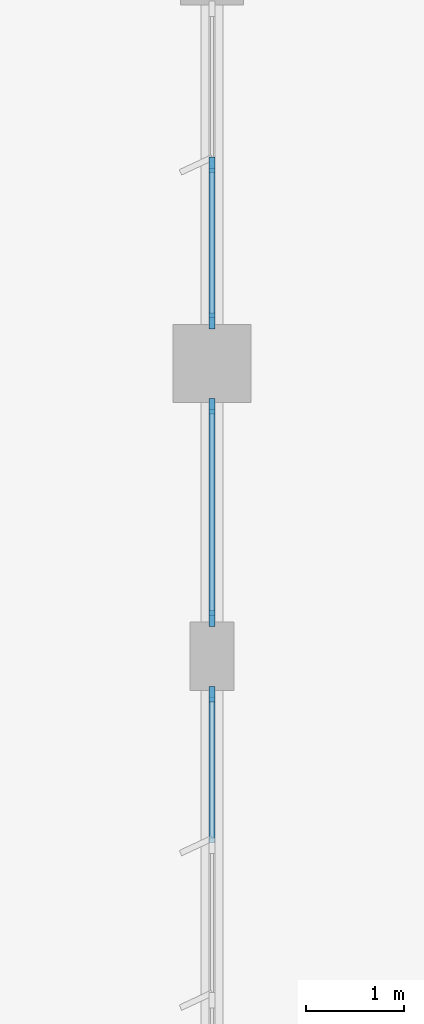
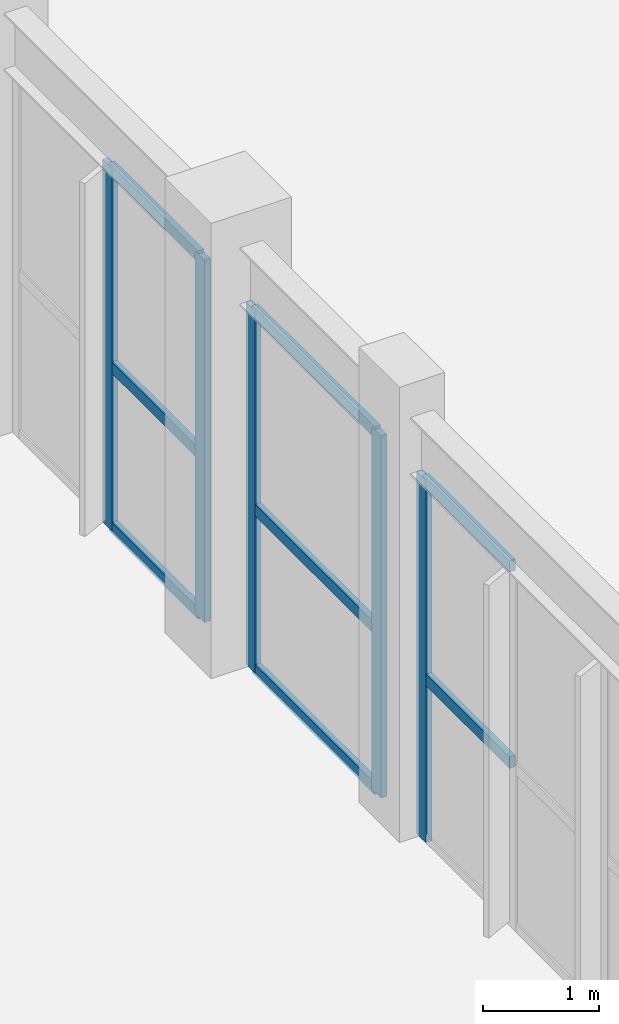
# One storey, part 80 of 199: 13 members, 3 elements without a shape of their own.
"""IFC4 building model written with IfcOpenShell, lengths in metres."""

from ifc_helpers import new_model, si_unit, direction, frame, origin, origin_2d, place, context, subcontext, project, spatial, rectangle, extrude, material, layer, layer_set, material_profile, profile_set, type_object, element, aggregate, save


model = new_model("IFC4")

# Units and contexts
model_context = context("Model", 3, precision=1e-05, world=origin(), true_north=direction((0.0, 1.0)))
body_context = subcontext(model_context, "Body", "Model", "MODEL_VIEW")
ifc_project = project(units=[si_unit("LENGTHUNIT", "METRE"), si_unit("AREAUNIT", "SQUARE_METRE"), si_unit("VOLUMEUNIT", "CUBIC_METRE"), si_unit("PLANEANGLEUNIT", "RADIAN"), si_unit("MASSUNIT", "GRAM", prefix="KILO")], contexts=[model_context])

# Site, building, storey
site_placement = place(None, origin())
site = spatial("IfcSite", under=ifc_project, at=site_placement, CompositionType="ELEMENT")
building_placement = place(site_placement, origin())
building = spatial("IfcBuilding", under=site, at=building_placement, Name="Tarnwether General Hospital", CompositionType="ELEMENT")
storey_placement = place(building_placement, origin())
storey = spatial("IfcBuildingStorey", under=building, at=storey_placement, Name="L00", CompositionType="ELEMENT", Elevation=0.0)

# Curtain wall, member
ifc_material_1 = material(Name="Anodised aluminium", Category="aluminium")
ifc_layer = layer(ifc_material_1, 0.179931640625)
ifc_layer_set = layer_set([ifc_layer], Name="Anodised aluminium")
curtain_wall_type = type_object("IfcCurtainWallType", Name="CW-08", PredefinedType="NOTDEFINED", material=ifc_layer_set)
curtain_wall_1_placement = place(storey_placement, origin())
curtain_wall_1 = element("IfcCurtainWall", 1, at=curtain_wall_1_placement, inside=storey, type_object=curtain_wall_type, Name="Curtain Wall CWG-L00-1080_479-0299", PredefinedType="NOTDEFINED")
ifc_material_2 = material(Name="Anodised aluminium", Category="aluminium")
ifc_material_profile_1 = material_profile(ifc_material_2, rectangle(XDim=0.06005859375, YDim=0.159912109375, at=origin_2d()), Name="ALU-MUL-60x160")
ifc_profile_set_1 = profile_set([ifc_material_profile_1], Name="Anodised aluminium")
member_type_1 = type_object("IfcMemberType", Name="CW-ML1", PredefinedType="MULLION", material=ifc_profile_set_1)
member_1_placement = place(storey_placement, frame((108.0, 54.2119140625, 0.0), z_axis=(0.0, 0.0, 1.0), x_axis=(-1.0, 0.0, 0.0)))
member_1 = element("IfcMember", 2, at=member_1_placement, type_object=member_type_1, Name="CW-08 mullion 5", PredefinedType="MULLION", context=body_context, shape_type="SweptSolid", body=[
    extrude(rectangle(XDim=0.06005859375, YDim=0.159912109375, at=origin_2d()), origin(), (0.0, 0.0, 1.0), 3.818115234375),
])

# Curtain wall, members
curtain_wall_2_placement = place(storey_placement, origin())
curtain_wall_2 = element("IfcCurtainWall", 3, at=curtain_wall_2_placement, inside=storey, type_object=curtain_wall_type, Name="Curtain Wall CWG-L00-1080_550-0300", PredefinedType="NOTDEFINED")
member_2_placement = place(storey_placement, frame((108.0, 54.988037109375, 0.0), z_axis=(0.0, 0.0, 1.0), x_axis=(-1.0, 0.0, 0.0)))
member_2 = element("IfcMember", 4, at=member_2_placement, type_object=member_type_1, Name="CW-08 mullion 1", PredefinedType="MULLION", context=body_context, shape_type="SweptSolid", body=[
    extrude(rectangle(XDim=0.06005859375, YDim=0.159912109375, at=origin_2d()), origin(), (0.0, 0.0, 1.0), 3.818115234375),
])
member_3_placement = place(storey_placement, frame((108.0, 57.162109375, 0.0), z_axis=(0.0, 0.0, 1.0), x_axis=(-1.0, 0.0, 0.0)))
member_3 = element("IfcMember", 5, at=member_3_placement, type_object=member_type_1, Name="CW-08 mullion 2", PredefinedType="MULLION", context=body_context, shape_type="SweptSolid", body=[
    extrude(rectangle(XDim=0.06005859375, YDim=0.159912109375, at=origin_2d()), origin(), (0.0, 0.0, 1.0), 3.818115234375),
])

curtain_wall_3_placement = place(storey_placement, origin())
curtain_wall_3 = element("IfcCurtainWall", 6, at=curtain_wall_3_placement, inside=storey, type_object=curtain_wall_type, Name="Curtain Wall CWG-L00-1080_580-0301", PredefinedType="NOTDEFINED")
member_4_placement = place(storey_placement, frame((108.0, 58.0380859375, 0.0), z_axis=(0.0, 0.0, 1.0), x_axis=(-1.0, 0.0, 0.0)))
member_4 = element("IfcMember", 7, at=member_4_placement, type_object=member_type_1, Name="CW-08 mullion 1", PredefinedType="MULLION", context=body_context, shape_type="SweptSolid", body=[
    extrude(rectangle(XDim=0.06005859375, YDim=0.159912109375, at=origin_2d()), origin(), (0.0, 0.0, 1.0), 3.822998046875),
])
member_5_placement = place(storey_placement, frame((108.0, 59.637451171875, 0.0), z_axis=(0.0, 0.0, 1.0), x_axis=(-1.0, 0.0, 0.0)))
member_5 = element("IfcMember", 8, at=member_5_placement, type_object=member_type_1, Name="CW-08 mullion 2", PredefinedType="MULLION", context=body_context, shape_type="SweptSolid", body=[
    extrude(rectangle(XDim=0.06005859375, YDim=0.159912109375, at=origin_2d()), origin(), (0.0, 0.0, 1.0), 3.822998046875),
])

# Member
ifc_material_3 = material(Name="Anodised aluminium", Category="aluminium")
ifc_material_profile_2 = material_profile(ifc_material_3, rectangle(XDim=0.06005859375, YDim=0.1201171875, at=origin_2d()), Name="ALU-TRN-60x120")
ifc_profile_set_2 = profile_set([ifc_material_profile_2], Name="Anodised aluminium")
member_type_2 = type_object("IfcMemberType", Name="CW-TR1", PredefinedType="USERDEFINED", material=ifc_profile_set_2)
member_6_placement = place(storey_placement, frame((108.0, 52.6884765625, 1.718017578125), z_axis=(0.0, 1.0, 0.0), x_axis=(-1.0, 0.0, 0.0)))
member_6 = element("IfcMember", 9, at=member_6_placement, type_object=member_type_2, Name="CW-08 transom 4.2", ObjectType="TRANSOM", PredefinedType="USERDEFINED", context=body_context, shape_type="SweptSolid", body=[
    extrude(rectangle(XDim=0.06005859375, YDim=0.1201171875, at=origin_2d()), origin(), (0.0, 0.0, 1.0), 1.493408203125),
])

member_7_placement = place(storey_placement, frame((108.0, 52.6884765625, 3.7880859375), z_axis=(0.0, 1.0, 0.0), x_axis=(-1.0, 0.0, 0.0)))
member_7 = element("IfcMember", 10, at=member_7_placement, type_object=member_type_2, Name="CW-08 transom 4.3", ObjectType="TRANSOM", PredefinedType="USERDEFINED", context=body_context, shape_type="SweptSolid", body=[
    extrude(rectangle(XDim=0.06005859375, YDim=0.1201171875, at=origin_2d()), origin(), (0.0, 0.0, 1.0), 1.493408203125),
])

aggregate(curtain_wall_1, [member_1, member_6, member_7])

member_8_placement = place(storey_placement, frame((108.0, 55.01806640625, 0.030029296875), z_axis=(0.0, 1.0, 0.0), x_axis=(-1.0, 0.0, 0.0)))
member_8 = element("IfcMember", 11, at=member_8_placement, type_object=member_type_2, Name="CW-08 transom 1.1", ObjectType="TRANSOM", PredefinedType="USERDEFINED", context=body_context, shape_type="SweptSolid", body=[
    extrude(rectangle(XDim=0.06005859375, YDim=0.1201171875, at=origin_2d()), origin(), (0.0, 0.0, 1.0), 2.114013671875),
])

member_9_placement = place(storey_placement, frame((108.0, 55.01806640625, 1.718017578125), z_axis=(0.0, 1.0, 0.0), x_axis=(-1.0, 0.0, 0.0)))
member_9 = element("IfcMember", 12, at=member_9_placement, type_object=member_type_2, Name="CW-08 transom 1.2", ObjectType="TRANSOM", PredefinedType="USERDEFINED", context=body_context, shape_type="SweptSolid", body=[
    extrude(rectangle(XDim=0.06005859375, YDim=0.1201171875, at=origin_2d()), origin(), (0.0, 0.0, 1.0), 2.114013671875),
])

member_10_placement = place(storey_placement, frame((108.0, 55.01806640625, 3.7880859375), z_axis=(0.0, 1.0, 0.0), x_axis=(-1.0, 0.0, 0.0)))
member_10 = element("IfcMember", 13, at=member_10_placement, type_object=member_type_2, Name="CW-08 transom 1.3", ObjectType="TRANSOM", PredefinedType="USERDEFINED", context=body_context, shape_type="SweptSolid", body=[
    extrude(rectangle(XDim=0.06005859375, YDim=0.1201171875, at=origin_2d()), origin(), (0.0, 0.0, 1.0), 2.114013671875),
])

aggregate(curtain_wall_2, [member_2, member_3, member_8, member_9, member_10])

member_11_placement = place(storey_placement, frame((108.0, 58.068115234375, 0.030029296875), z_axis=(0.0, 1.0, 0.0), x_axis=(-1.0, 0.0, 0.0)))
member_11 = element("IfcMember", 14, at=member_11_placement, type_object=member_type_2, Name="CW-08 transom 1.1", ObjectType="TRANSOM", PredefinedType="USERDEFINED", context=body_context, shape_type="SweptSolid", body=[
    extrude(rectangle(XDim=0.06005859375, YDim=0.1201171875, at=origin_2d()), origin(), (0.0, 0.0, 1.0), 1.539306640625),
])

member_12_placement = place(storey_placement, frame((108.0, 58.068115234375, 1.720458984375), z_axis=(0.0, 1.0, 0.0), x_axis=(-1.0, 0.0, 0.0)))
member_12 = element("IfcMember", 15, at=member_12_placement, type_object=member_type_2, Name="CW-08 transom 1.2", ObjectType="TRANSOM", PredefinedType="USERDEFINED", context=body_context, shape_type="SweptSolid", body=[
    extrude(rectangle(XDim=0.06005859375, YDim=0.1201171875, at=origin_2d()), origin(), (0.0, 0.0, 1.0), 1.539306640625),
])

member_13_placement = place(storey_placement, frame((108.0, 58.068115234375, 3.79296875), z_axis=(0.0, 1.0, 0.0), x_axis=(-1.0, 0.0, 0.0)))
member_13 = element("IfcMember", 16, at=member_13_placement, type_object=member_type_2, Name="CW-08 transom 1.3", ObjectType="TRANSOM", PredefinedType="USERDEFINED", context=body_context, shape_type="SweptSolid", body=[
    extrude(rectangle(XDim=0.06005859375, YDim=0.1201171875, at=origin_2d()), origin(), (0.0, 0.0, 1.0), 1.539306640625),
])

aggregate(curtain_wall_3, [member_4, member_5, member_11, member_12, member_13])

save(model, "model.ifc")
